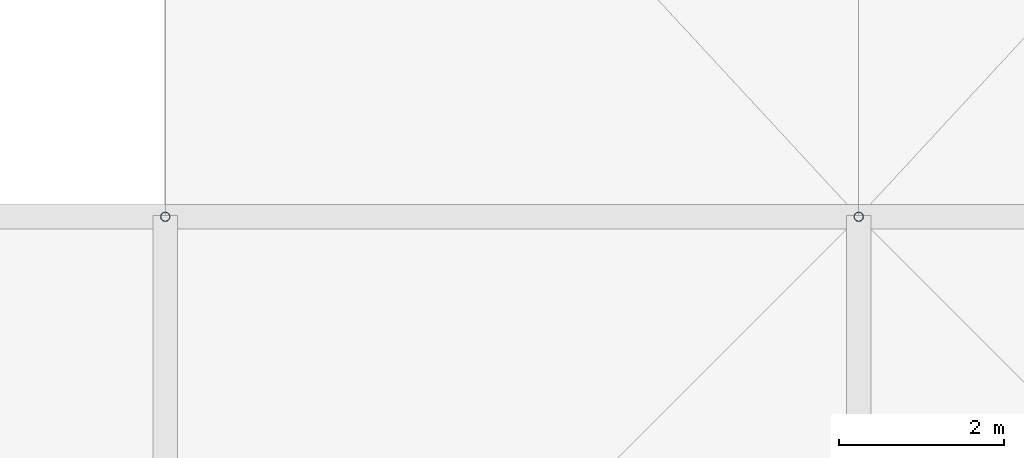
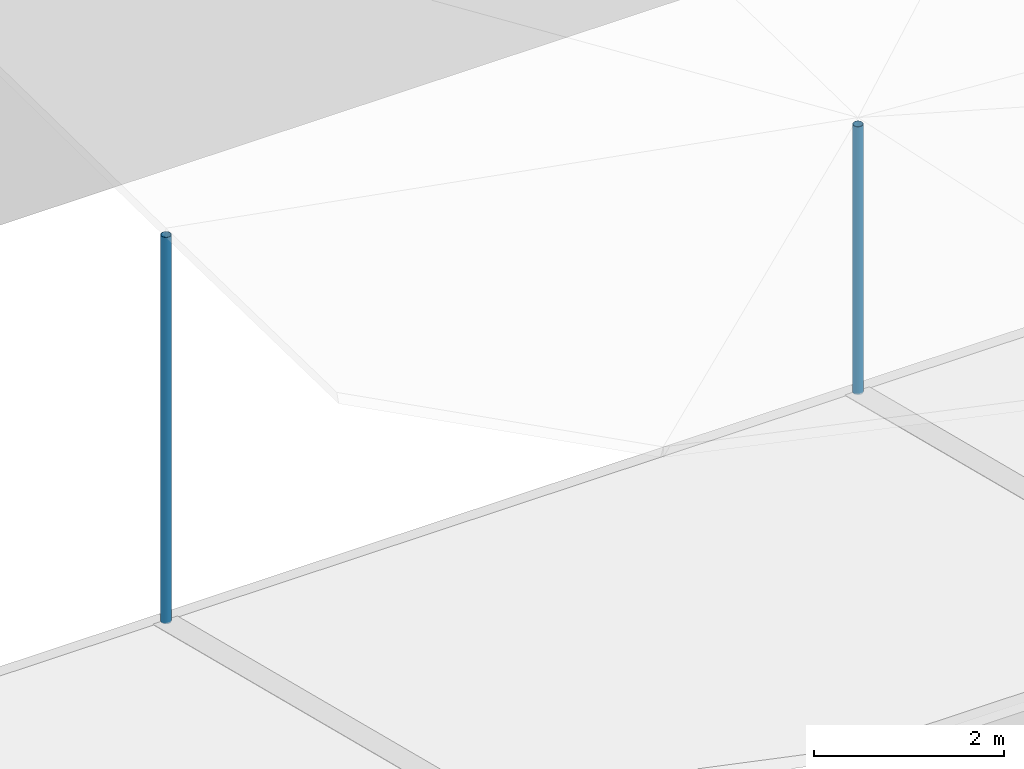
# One storey, part 66 of 111: 2 discrete accessories.
"""IFC4 building model written with IfcOpenShell, lengths in metres."""

import ifcopenshell
import ifcopenshell.guid

model = None  # the IFC model being written
_history = None  # IfcOwnerHistory: only IFC2X3 demands one
_inside = {}  # id of a spatial element -> (the spatial element, [elements in it])
_under = {}  # id of a project, library or spatial element -> (it, [spatial elements below it])
_declared = {}  # id of a project -> (the project, [libraries it declares])
_typed = {}  # id of a type object -> (the type object, [elements of that type])
_made_of = {}  # id of a material, layer set ... -> (it, [elements and type objects made of it])


def new_model(schema):
    """Start an empty IFC model of exactly this schema.

    Asked for "IFC4X3", IfcOpenShell would pick the latest addendum, in which some entities
    have other attributes; the version numbers below select the first issue.
    IFC2X3 requires an IfcOwnerHistory on every rooted entity: one is made here for all.
    """
    global model, _history
    if schema == "IFC4X3":
        model = ifcopenshell.file(schema_version=(4, 3, 0, 0))
    else:
        model = ifcopenshell.file(schema=schema)
    _inside.clear()
    _under.clear()
    _declared.clear()
    _typed.clear()
    _made_of.clear()
    _history = None
    if model.schema == "IFC2X3":
        org = make("IfcOrganization", Name="unknown")
        user = make(
            "IfcPersonAndOrganization",
            ThePerson=make("IfcPerson", FamilyName="unknown"),
            TheOrganization=org,
        )
        app = make(
            "IfcApplication",
            ApplicationDeveloper=org,
            Version="unknown",
            ApplicationFullName="unknown",
            ApplicationIdentifier="unknown",
        )
        _history = make(
            "IfcOwnerHistory",
            OwningUser=user,
            OwningApplication=app,
            ChangeAction="ADDED",
            CreationDate=0,
        )
    return model


def make(cls, **values):
    """One entity of the class cls with the attributes given. An attribute that is None is left unset."""
    return model.create_entity(
        cls, **{name: value for name, value in values.items() if value is not None}
    )


def rooted(cls, **values):
    """An entity with a GlobalId (a new one), such as an element, a storey or a relation."""
    return make(cls, GlobalId=ifcopenshell.guid.new(), OwnerHistory=_history, **values)


def si_unit(unit_type, name, prefix=None):
    """IfcSIUnit, for example si_unit("LENGTHUNIT", "METRE", prefix="MILLI")."""
    return make("IfcSIUnit", UnitType=unit_type, Prefix=prefix, Name=name)


def assignment(units):
    """IfcUnitAssignment: the units of a project."""
    return None if units is None else make("IfcUnitAssignment", Units=units)


def point(xyz):
    """IfcCartesianPoint."""
    return None if xyz is None else make("IfcCartesianPoint", Coordinates=xyz)


def direction(xyz):
    """IfcDirection."""
    return None if xyz is None else make("IfcDirection", DirectionRatios=xyz)


def frame(location, z_axis=None, x_axis=None):
    """IfcAxis2Placement3D, a coordinate frame: its origin and axes. An axis left out is left unset."""
    return make(
        "IfcAxis2Placement3D",
        Location=point(location),
        Axis=direction(z_axis),
        RefDirection=direction(x_axis),
    )


def frame_2d(location, x_axis=None):
    """IfcAxis2Placement2D, a coordinate frame in the plane: its origin and x axis."""
    return make(
        "IfcAxis2Placement2D", Location=point(location), RefDirection=direction(x_axis)
    )


def origin():
    """The frame at (0, 0, 0) with its axes left unset."""
    return frame((0.0, 0.0, 0.0))


def origin_2d():
    """The frame at (0, 0) in the plane with its x axis left unset."""
    return frame_2d((0.0, 0.0))


def place(relative_to, where):
    """IfcLocalPlacement: puts the frame where relative to a parent placement (None: the world)."""
    return make(
        "IfcLocalPlacement", PlacementRelTo=relative_to, RelativePlacement=where
    )


def context(
    kind, dimensions, precision=None, world=None, true_north=None, identifier=None
):
    """IfcGeometricRepresentationContext, for example the 3D "Model" context."""
    return make(
        "IfcGeometricRepresentationContext",
        ContextIdentifier=identifier,
        ContextType=kind,
        CoordinateSpaceDimension=dimensions,
        Precision=precision,
        WorldCoordinateSystem=world,
        TrueNorth=true_north,
    )


def subcontext(parent, identifier, kind, view, scale=None):
    """IfcGeometricRepresentationSubContext, for example "Body" below "Model"."""
    return make(
        "IfcGeometricRepresentationSubContext",
        ContextIdentifier=identifier,
        ContextType=kind,
        ParentContext=parent,
        TargetScale=scale,
        TargetView=view,
    )


def project(units=None, contexts=None):
    """IfcProject with its units and contexts."""
    return rooted(
        "IfcProject",
        Name="project",
        RepresentationContexts=contexts,
        UnitsInContext=assignment(units),
    )


def spatial(cls, under=None, at=None, **own):
    """A site, building, storey or space (cls), placed at a placement, below another one or the project."""
    s = rooted(cls, ObjectPlacement=at, **own)
    if under is not None:
        _under.setdefault(under.id(), (under, []))[1].append(s)
    return s


def profile(cls, at=None, kind="AREA", **sizes):
    """A parametric profile (cls). Its sizes go by their IFC names, for example OverallWidth=200.0."""
    return make(cls, ProfileType=kind, Position=at, **sizes)


def hollow_circle(**sizes):
    """IfcCircleHollowProfileDef."""
    return profile("IfcCircleHollowProfileDef", **sizes)


def extrude(swept, where, along, depth):
    """IfcExtrudedAreaSolid: the profile swept, set in the frame where, extruded along a direction by depth."""
    return make(
        "IfcExtrudedAreaSolid",
        SweptArea=swept,
        Position=where,
        ExtrudedDirection=direction(along),
        Depth=depth,
    )


def shape(context_of_items, identifier, shape_type, items):
    """IfcShapeRepresentation: the items that make up one representation, for example the "Body"."""
    return make(
        "IfcShapeRepresentation",
        ContextOfItems=context_of_items,
        RepresentationIdentifier=identifier,
        RepresentationType=shape_type,
        Items=items,
    )


def material(Name=None, Category=None):
    """IfcMaterial."""
    return make("IfcMaterial", Name=Name, Category=Category)


def material_profile(
    of_material, cross_section, Name=None, Category=None, Priority=None
):
    """IfcMaterialProfile: a cross section and its material."""
    return make(
        "IfcMaterialProfile",
        Name=Name,
        Material=of_material,
        Profile=cross_section,
        Priority=Priority,
        Category=Category,
    )


def profile_set(profiles, Name=None, composite=None):
    """IfcMaterialProfileSet."""
    return make(
        "IfcMaterialProfileSet",
        Name=Name,
        MaterialProfiles=profiles,
        CompositeProfile=composite,
    )


def made_of(thing, what):
    """Note that an element or type object is made of a material, layer set ...; save() writes the relation."""
    if what is not None:
        _made_of.setdefault(what.id(), (what, []))[1].append(thing)
    return thing


def type_object(cls, material=None, **own):
    """A type object (cls), such as IfcWallType, which elements share."""
    return made_of(rooted(cls, **own), material)


def element(
    cls,
    number,
    at=None,
    inside=None,
    cuts=None,
    type_object=None,
    material=None,
    context=None,
    identifier="Body",
    shape_type=None,
    held_by="IfcProductDefinitionShape",
    body=None,
    shapes=None,
    **own,
):
    """One element of the class cls, such as IfcWall. Its Tag is "e" and its number.

    at: its placement. inside: the storey or other place that contains it. cuts: it is an
    opening in that element (IfcRelVoidsElement). A single representation is given by context,
    identifier, shape_type and body (its items); several are given by shapes. held_by: the class
    of the entity that holds the representations. save() writes the other relations.
    """
    e = rooted(cls, Tag="e%d" % number, ObjectPlacement=at, **own)
    if body is not None:
        shapes = [shape(context, identifier, shape_type, body)]
    if shapes is not None:
        e.Representation = make(held_by, Representations=shapes)
    if inside is not None:
        _inside.setdefault(inside.id(), (inside, []))[1].append(e)
    if cuts is not None:
        rooted(
            "IfcRelVoidsElement", RelatingBuildingElement=cuts, RelatedOpeningElement=e
        )
    if type_object is not None:
        _typed.setdefault(type_object.id(), (type_object, []))[1].append(e)
    return made_of(e, material)


def aggregate(whole, parts):
    """IfcRelAggregates: a whole, such as a stair, and the parts it consists of."""
    return rooted("IfcRelAggregates", RelatingObject=whole, RelatedObjects=parts)


def save(model, path):
    """Write the relations noted so far, then the file.

    IfcRelAggregates (storeys below a building ...), IfcRelContainedInSpatialStructure (elements
    in a storey), IfcRelDefinesByType, IfcRelAssociatesMaterial and IfcRelDeclares: one each for
    every whole, place, type object, material and project.
    """
    for whole, parts in _under.values():
        aggregate(whole, parts)
    for where, things in _inside.values():
        rooted(
            "IfcRelContainedInSpatialStructure",
            RelatedElements=things,
            RelatingStructure=where,
        )
    for kind, things in _typed.values():
        rooted("IfcRelDefinesByType", RelatedObjects=things, RelatingType=kind)
    for what, things in _made_of.values():
        rooted("IfcRelAssociatesMaterial", RelatedObjects=things, RelatingMaterial=what)
    for by, libraries in _declared.values():
        rooted("IfcRelDeclares", RelatingContext=by, RelatedDefinitions=libraries)
    model.write(path)


model = new_model("IFC4")

# Units and contexts
model_context = context("Model", 3, precision=1e-05, world=origin(), true_north=direction((0.0, 1.0)))
body_context = subcontext(model_context, "Body", "Model", "MODEL_VIEW")
ifc_project = project(units=[si_unit("LENGTHUNIT", "METRE"), si_unit("AREAUNIT", "SQUARE_METRE"), si_unit("VOLUMEUNIT", "CUBIC_METRE"), si_unit("PLANEANGLEUNIT", "RADIAN"), si_unit("MASSUNIT", "GRAM", prefix="KILO")], contexts=[model_context])

# Site, building, storey
site_placement = place(None, origin())
site = spatial("IfcSite", under=ifc_project, at=site_placement, CompositionType="ELEMENT")
building_placement = place(site_placement, origin())
building = spatial("IfcBuilding", under=site, at=building_placement, Name="Rain Tree Exposition and Congress Centre", CompositionType="ELEMENT")
storey_placement = place(building_placement, frame((0.0, 0.0, 19.5)))
storey = spatial("IfcBuildingStorey", under=building, at=storey_placement, Name="RF", CompositionType="ELEMENT", Elevation=19.5)

# Discrete accessories
ifc_material = material(Name="Steel S355J2H", Category="steel")
ifc_material_profile = material_profile(ifc_material, hollow_circle(Radius=0.05712890625, WallThickness=0.00439453125, at=origin_2d()), Name="CHS 114x4.5")
ifc_profile_set = profile_set([ifc_material_profile], Name="Steel S355J2H")
discrete_accessory_type = type_object("IfcDiscreteAccessoryType", Name="Roof skin post CHS 114x4.5", PredefinedType="BRACKET", material=ifc_profile_set)
discrete_accessory_1_placement = place(storey_placement, frame((58.800048828125, 193.199951171875, 1.11669921875), z_axis=(0.0, 0.0, 1.0), x_axis=(1.0, 0.0, 0.0)))
element("IfcDiscreteAccessory", 1, at=discrete_accessory_1_placement, inside=storey, type_object=discrete_accessory_type, Name="Roof skin post A172", PredefinedType="BRACKET", context=body_context, shape_type="SweptSolid", body=[
    extrude(hollow_circle(Radius=0.05712890625, WallThickness=0.00439453125, at=origin_2d()), origin(), (0.0, 0.0, 1.0), 4.96044921875),
])
discrete_accessory_2_placement = place(storey_placement, frame((67.199951171875, 193.199951171875, 1.11669921875), z_axis=(0.0, 0.0, 1.0), x_axis=(1.0, 0.0, 0.0)))
element("IfcDiscreteAccessory", 2, at=discrete_accessory_2_placement, inside=storey, type_object=discrete_accessory_type, Name="Roof skin post A173", PredefinedType="BRACKET", context=body_context, shape_type="SweptSolid", body=[
    extrude(hollow_circle(Radius=0.05712890625, WallThickness=0.00439453125, at=origin_2d()), origin(), (0.0, 0.0, 1.0), 3.439453125),
])

save(model, "model.ifc")
